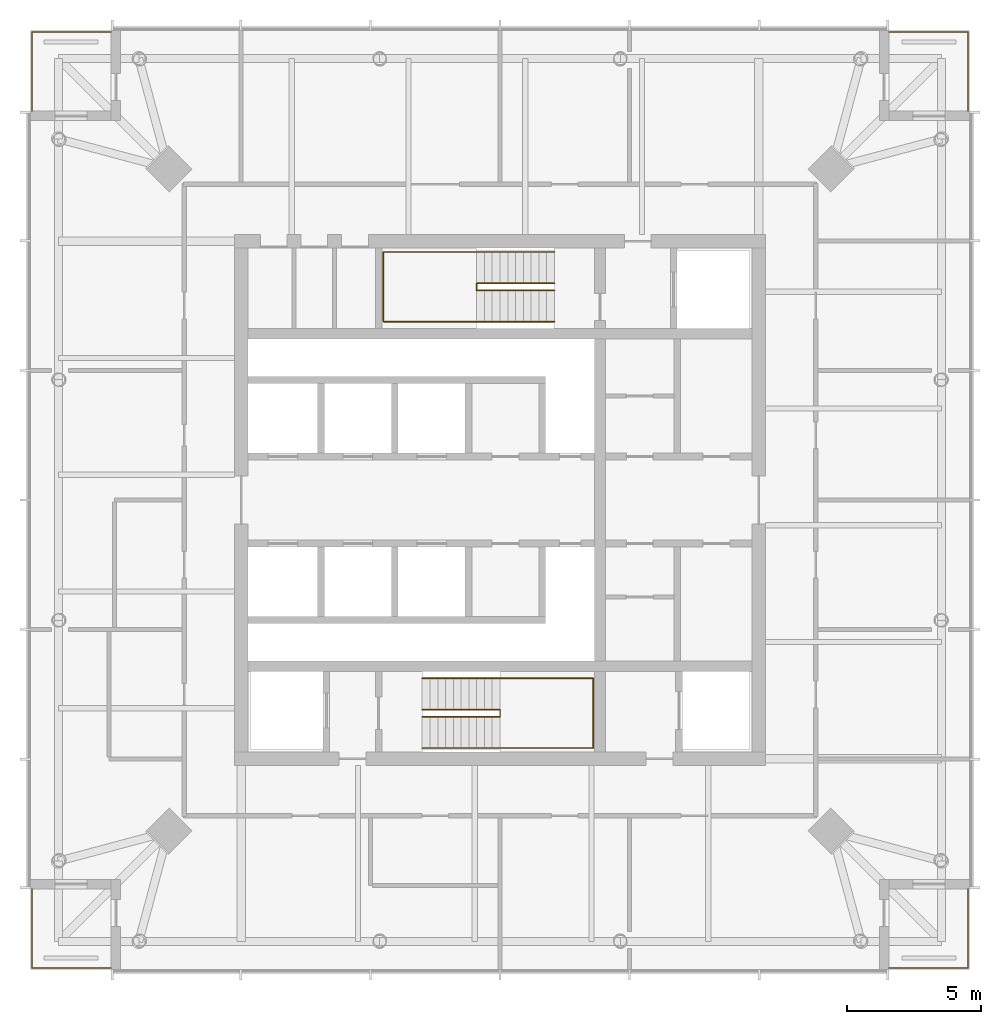
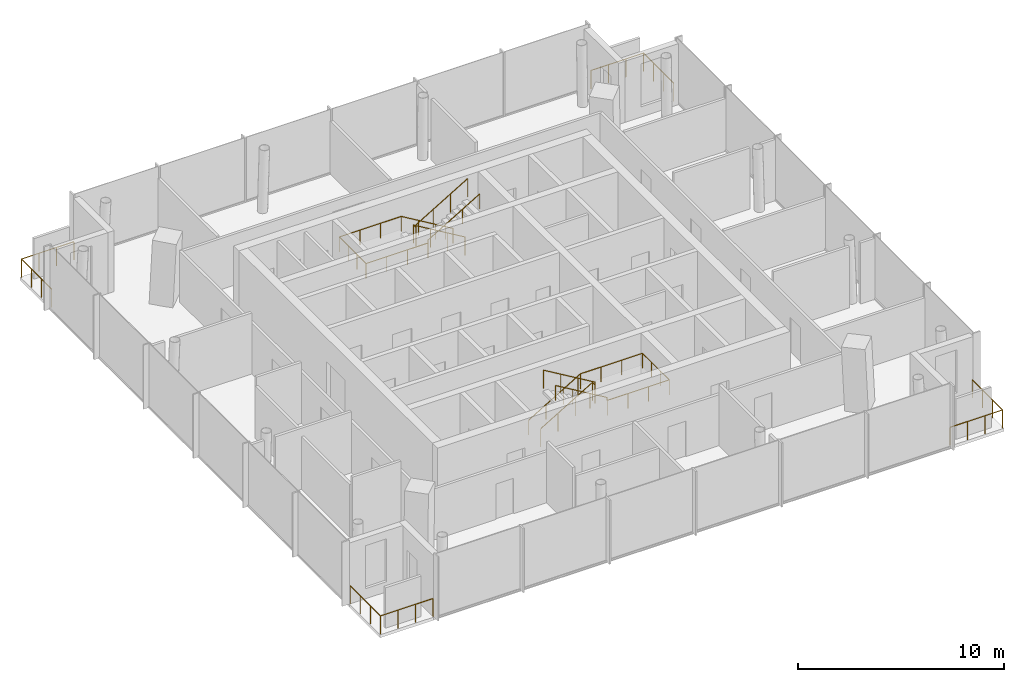
# One storey, part 7 of 7: 8 railings.
"""IFC4 building model written with IfcOpenShell, lengths in metres."""

from ifc_helpers import new_model, si_unit, direction, frame, origin, origin_2d, place, context, subcontext, project, spatial, circle, extrude, material, type_object, element, save


model = new_model("IFC4")

# Units and contexts
model_context = context("Model", 3, precision=1e-05, world=origin(), true_north=direction((0.0, 1.0)))
body_context = subcontext(model_context, "Body", "Model", "MODEL_VIEW")
ifc_project = project(units=[si_unit("LENGTHUNIT", "METRE"), si_unit("AREAUNIT", "SQUARE_METRE"), si_unit("VOLUMEUNIT", "CUBIC_METRE"), si_unit("PLANEANGLEUNIT", "RADIAN"), si_unit("MASSUNIT", "GRAM", prefix="KILO")], contexts=[model_context])

# Site, building, storey
site_placement = place(None, origin())
site = spatial("IfcSite", under=ifc_project, at=site_placement, CompositionType="ELEMENT")
building_placement = place(site_placement, origin())
building = spatial("IfcBuilding", under=site, at=building_placement, Name="Ostroluk Exchange", CompositionType="ELEMENT")
storey_placement = place(building_placement, frame((0.0, 0.0, 256.60009765625)))
storey = spatial("IfcBuildingStorey", under=building, at=storey_placement, Name="L66", CompositionType="ELEMENT", Elevation=256.60009765625)

# Railings
ifc_material_1 = material(Name="Stainless steel", Category="steel")
railing_type_1 = type_object("IfcRailingType", Name="Guard 1100 stainless steel", PredefinedType="GUARDRAIL", material=ifc_material_1)
railing_1_placement = place(storey_placement, frame((59.5, 28.550048828125, 0.0)))
element("IfcRailing", 1, at=railing_1_placement, inside=storey, type_object=railing_type_1, Name="Office tower SE balcony guard L66", PredefinedType="GUARDRAIL", context=body_context, shape_type="SweptSolid", body=[
    extrude(circle(Radius=0.02392578125, at=origin_2d()), frame((0.0, 0.0, 1.076171875), z_axis=(1.0, 0.0, 0.0), x_axis=(0.0, 1.0, 0.0)), (0.0, 0.0, 1.0), 2.949951171875),
    extrude(circle(Radius=0.02392578125, at=origin_2d()), frame((2.949951171875, 0.0, 1.076171875), z_axis=(0.0, 1.0, 0.0), x_axis=(-1.0, 0.0, 0.0)), (0.0, 0.0, 1.0), 2.949951171875),
    extrude(circle(Radius=0.02099609375, at=origin_2d()), origin(), (0.0, 0.0, 1.0), 1.052001953125),
    extrude(circle(Radius=0.02099609375, at=origin_2d()), frame((0.9833984375, 0.0, 0.0)), (0.0, 0.0, 1.0), 1.052001953125),
    extrude(circle(Radius=0.02099609375, at=origin_2d()), frame((1.966552734375, 0.0, 0.0)), (0.0, 0.0, 1.0), 1.052001953125),
    extrude(circle(Radius=0.02099609375, at=origin_2d()), frame((2.949951171875, 0.0, 0.0)), (0.0, 0.0, 1.0), 1.052001953125),
    extrude(circle(Radius=0.02099609375, at=origin_2d()), frame((2.949951171875, 0.9833984375, 0.0)), (0.0, 0.0, 1.0), 1.052001953125),
    extrude(circle(Radius=0.02099609375, at=origin_2d()), frame((2.949951171875, 1.966552734375, 0.0)), (0.0, 0.0, 1.0), 1.052001953125),
    extrude(circle(Radius=0.02099609375, at=origin_2d()), frame((2.949951171875, 2.949951171875, 0.0)), (0.0, 0.0, 1.0), 1.052001953125),
])
railing_2_placement = place(storey_placement, frame((59.5, 63.449951171875, 0.0)))
element("IfcRailing", 2, at=railing_2_placement, inside=storey, type_object=railing_type_1, Name="Office tower NE balcony guard L66", PredefinedType="GUARDRAIL", context=body_context, shape_type="SweptSolid", body=[
    extrude(circle(Radius=0.02392578125, at=origin_2d()), frame((0.0, 0.0, 1.076171875), z_axis=(1.0, 0.0, 0.0), x_axis=(0.0, 1.0, 0.0)), (0.0, 0.0, 1.0), 2.949951171875),
    extrude(circle(Radius=0.02392578125, at=origin_2d()), frame((2.949951171875, 0.0, 1.076171875), z_axis=(0.0, -1.0, 0.0), x_axis=(1.0, 0.0, 0.0)), (0.0, 0.0, 1.0), 2.949951171875),
    extrude(circle(Radius=0.02099609375, at=origin_2d()), origin(), (0.0, 0.0, 1.0), 1.052001953125),
    extrude(circle(Radius=0.02099609375, at=origin_2d()), frame((0.9833984375, 0.0, 0.0)), (0.0, 0.0, 1.0), 1.052001953125),
    extrude(circle(Radius=0.02099609375, at=origin_2d()), frame((1.966552734375, 0.0, 0.0)), (0.0, 0.0, 1.0), 1.052001953125),
    extrude(circle(Radius=0.02099609375, at=origin_2d()), frame((2.949951171875, 0.0, 0.0)), (0.0, 0.0, 1.0), 1.052001953125),
    extrude(circle(Radius=0.02099609375, at=origin_2d()), frame((2.949951171875, -0.9833984375, 0.0)), (0.0, 0.0, 1.0), 1.052001953125),
    extrude(circle(Radius=0.02099609375, at=origin_2d()), frame((2.949951171875, -1.966552734375, 0.0)), (0.0, 0.0, 1.0), 1.052001953125),
    extrude(circle(Radius=0.02099609375, at=origin_2d()), frame((2.949951171875, -2.949951171875, 0.0)), (0.0, 0.0, 1.0), 1.052001953125),
])
railing_3_placement = place(storey_placement, frame((30.5, 63.449951171875, 0.0)))
element("IfcRailing", 3, at=railing_3_placement, inside=storey, type_object=railing_type_1, Name="Office tower NW balcony guard L66", PredefinedType="GUARDRAIL", context=body_context, shape_type="SweptSolid", body=[
    extrude(circle(Radius=0.02392578125, at=origin_2d()), frame((0.0, 0.0, 1.076171875), z_axis=(-1.0, 0.0, 0.0), x_axis=(0.0, -1.0, 0.0)), (0.0, 0.0, 1.0), 2.949951171875),
    extrude(circle(Radius=0.02392578125, at=origin_2d()), frame((-2.949951171875, 0.0, 1.076171875), z_axis=(0.0, -1.0, 0.0), x_axis=(1.0, 0.0, 0.0)), (0.0, 0.0, 1.0), 2.949951171875),
    extrude(circle(Radius=0.02099609375, at=origin_2d()), origin(), (0.0, 0.0, 1.0), 1.052001953125),
    extrude(circle(Radius=0.02099609375, at=origin_2d()), frame((-0.9833984375, 0.0, 0.0)), (0.0, 0.0, 1.0), 1.052001953125),
    extrude(circle(Radius=0.02099609375, at=origin_2d()), frame((-1.966552734375, 0.0, 0.0)), (0.0, 0.0, 1.0), 1.052001953125),
    extrude(circle(Radius=0.02099609375, at=origin_2d()), frame((-2.949951171875, 0.0, 0.0)), (0.0, 0.0, 1.0), 1.052001953125),
    extrude(circle(Radius=0.02099609375, at=origin_2d()), frame((-2.949951171875, -0.9833984375, 0.0)), (0.0, 0.0, 1.0), 1.052001953125),
    extrude(circle(Radius=0.02099609375, at=origin_2d()), frame((-2.949951171875, -1.966552734375, 0.0)), (0.0, 0.0, 1.0), 1.052001953125),
    extrude(circle(Radius=0.02099609375, at=origin_2d()), frame((-2.949951171875, -2.949951171875, 0.0)), (0.0, 0.0, 1.0), 1.052001953125),
])
railing_4_placement = place(storey_placement, frame((30.5, 28.550048828125, 0.0)))
element("IfcRailing", 4, at=railing_4_placement, inside=storey, type_object=railing_type_1, Name="Office tower SW balcony guard L66", PredefinedType="GUARDRAIL", context=body_context, shape_type="SweptSolid", body=[
    extrude(circle(Radius=0.02392578125, at=origin_2d()), frame((0.0, 0.0, 1.076171875), z_axis=(-1.0, 0.0, 0.0), x_axis=(0.0, -1.0, 0.0)), (0.0, 0.0, 1.0), 2.949951171875),
    extrude(circle(Radius=0.02392578125, at=origin_2d()), frame((-2.949951171875, 0.0, 1.076171875), z_axis=(0.0, 1.0, 0.0), x_axis=(-1.0, 0.0, 0.0)), (0.0, 0.0, 1.0), 2.949951171875),
    extrude(circle(Radius=0.02099609375, at=origin_2d()), origin(), (0.0, 0.0, 1.0), 1.052001953125),
    extrude(circle(Radius=0.02099609375, at=origin_2d()), frame((-0.9833984375, 0.0, 0.0)), (0.0, 0.0, 1.0), 1.052001953125),
    extrude(circle(Radius=0.02099609375, at=origin_2d()), frame((-1.966552734375, 0.0, 0.0)), (0.0, 0.0, 1.0), 1.052001953125),
    extrude(circle(Radius=0.02099609375, at=origin_2d()), frame((-2.949951171875, 0.0, 0.0)), (0.0, 0.0, 1.0), 1.052001953125),
    extrude(circle(Radius=0.02099609375, at=origin_2d()), frame((-2.949951171875, 0.9833984375, 0.0)), (0.0, 0.0, 1.0), 1.052001953125),
    extrude(circle(Radius=0.02099609375, at=origin_2d()), frame((-2.949951171875, 1.966552734375, 0.0)), (0.0, 0.0, 1.0), 1.052001953125),
    extrude(circle(Radius=0.02099609375, at=origin_2d()), frame((-2.949951171875, 2.949951171875, 0.0)), (0.0, 0.0, 1.0), 1.052001953125),
])
ifc_material_2 = material(Name="Steel S355", Category="steel")
railing_type_2 = type_object("IfcRailingType", Name="Stair guard 1100", PredefinedType="GUARDRAIL", material=ifc_material_2)
railing_5_placement = place(storey_placement, frame((42.10009765625, 38.179931640625, 0.172607421875)))
element("IfcRailing", 5, at=railing_5_placement, inside=storey, type_object=railing_type_2, Name="Stair T1-S1 guard L66", PredefinedType="GUARDRAIL", context=body_context, shape_type="SweptSolid", body=[
    extrude(circle(Radius=0.02392578125, at=origin_2d()), frame((0.0, 0.0, 1.076171875), z_axis=(0.859141464434, 0.0, 0.511738159696), x_axis=(0.0, 1.0, 0.0)), (0.0, 0.0, 1.0), 3.375244140625),
    extrude(circle(Radius=0.02392578125, at=origin_2d()), frame((2.89990234375, 0.0, 2.80322265625), z_axis=(0.0, -1.0, 0.0), x_axis=(1.0, 0.0, 0.0)), (0.0, 0.0, 1.0), 0.260009765625),
    extrude(circle(Radius=0.02392578125, at=origin_2d()), frame((2.89990234375, -0.260009765625, 2.80322265625), z_axis=(0.0, 0.0, 1.0), x_axis=(1.0, 0.0, 0.0)), (0.0, 0.0, 1.0), 0.172607421875),
    extrude(circle(Radius=0.02392578125, at=origin_2d()), frame((2.89990234375, -0.260009765625, 2.97607421875), z_axis=(-0.859141464434, 0.0, 0.511738159696), x_axis=(0.0, -1.0, 0.0)), (0.0, 0.0, 1.0), 3.375244140625),
    extrude(circle(Radius=0.02099609375, at=origin_2d()), origin(), (0.0, 0.0, 1.0), 1.052001953125),
    extrude(circle(Radius=0.02099609375, at=origin_2d()), frame((0.966552734375, 0.0, 0.57568359375)), (0.0, 0.0, 1.0), 1.052001953125),
    extrude(circle(Radius=0.02099609375, at=origin_2d()), frame((1.933349609375, 0.0, 1.151611328125)), (0.0, 0.0, 1.0), 1.052001953125),
    extrude(circle(Radius=0.02099609375, at=origin_2d()), frame((2.89990234375, 0.0, 1.727294921875)), (0.0, 0.0, 1.0), 1.052001953125),
    extrude(circle(Radius=0.02099609375, at=origin_2d()), frame((2.89990234375, -0.260009765625, 1.727294921875)), (0.0, 0.0, 1.0), 1.052001953125),
    extrude(circle(Radius=0.02099609375, at=origin_2d()), frame((2.89990234375, -0.260009765625, 1.89990234375)), (0.0, 0.0, 1.0), 1.052001953125),
    extrude(circle(Radius=0.02099609375, at=origin_2d()), frame((1.933349609375, -0.260009765625, 2.4755859375)), (0.0, 0.0, 1.0), 1.052001953125),
    extrude(circle(Radius=0.02099609375, at=origin_2d()), frame((0.966552734375, -0.260009765625, 3.051513671875)), (0.0, 0.0, 1.0), 1.052001953125),
    extrude(circle(Radius=0.02099609375, at=origin_2d()), frame((0.0, -0.260009765625, 3.627197265625)), (0.0, 0.0, 1.0), 1.052001953125),
])
railing_6_placement = place(storey_placement, frame((47.030029296875, 54.080078125, 0.172607421875)))
element("IfcRailing", 6, at=railing_6_placement, inside=storey, type_object=railing_type_2, Name="Stair T1-S2 guard L66", PredefinedType="GUARDRAIL", context=body_context, shape_type="SweptSolid", body=[
    extrude(circle(Radius=0.02392578125, at=origin_2d()), frame((0.0, 0.0, 1.076171875), z_axis=(-0.859160404282, 0.0, 0.51170636083), x_axis=(0.0, -1.0, 0.0)), (0.0, 0.0, 1.0), 3.37548828125),
    extrude(circle(Radius=0.02392578125, at=origin_2d()), frame((-2.900146484375, 0.0, 2.80322265625), z_axis=(0.0, -1.0, 0.0), x_axis=(1.0, 0.0, 0.0)), (0.0, 0.0, 1.0), 0.260009765625),
    extrude(circle(Radius=0.02392578125, at=origin_2d()), frame((-2.900146484375, -0.260009765625, 2.80322265625), z_axis=(0.0, 0.0, 1.0), x_axis=(1.0, 0.0, 0.0)), (0.0, 0.0, 1.0), 0.172607421875),
    extrude(circle(Radius=0.02392578125, at=origin_2d()), frame((-2.900146484375, -0.260009765625, 2.97607421875), z_axis=(0.859160404282, 0.0, 0.51170636083), x_axis=(0.0, 1.0, 0.0)), (0.0, 0.0, 1.0), 3.37548828125),
    extrude(circle(Radius=0.02099609375, at=origin_2d()), origin(), (0.0, 0.0, 1.0), 1.052001953125),
    extrude(circle(Radius=0.02099609375, at=origin_2d()), frame((-0.966796875, 0.0, 0.57568359375)), (0.0, 0.0, 1.0), 1.052001953125),
    extrude(circle(Radius=0.02099609375, at=origin_2d()), frame((-1.933349609375, 0.0, 1.151611328125)), (0.0, 0.0, 1.0), 1.052001953125),
    extrude(circle(Radius=0.02099609375, at=origin_2d()), frame((-2.900146484375, 0.0, 1.727294921875)), (0.0, 0.0, 1.0), 1.052001953125),
    extrude(circle(Radius=0.02099609375, at=origin_2d()), frame((-2.900146484375, -0.260009765625, 1.727294921875)), (0.0, 0.0, 1.0), 1.052001953125),
    extrude(circle(Radius=0.02099609375, at=origin_2d()), frame((-2.900146484375, -0.260009765625, 1.89990234375)), (0.0, 0.0, 1.0), 1.052001953125),
    extrude(circle(Radius=0.02099609375, at=origin_2d()), frame((-1.933349609375, -0.260009765625, 2.4755859375)), (0.0, 0.0, 1.0), 1.052001953125),
    extrude(circle(Radius=0.02099609375, at=origin_2d()), frame((-0.966796875, -0.260009765625, 3.051513671875)), (0.0, 0.0, 1.0), 1.052001953125),
    extrude(circle(Radius=0.02099609375, at=origin_2d()), frame((0.0, -0.260009765625, 3.627197265625)), (0.0, 0.0, 1.0), 1.052001953125),
])
ifc_material_3 = material(Name="Stainless steel", Category="steel")
railing_type_3 = type_object("IfcRailingType", Name="Stair handrail 900", PredefinedType="HANDRAIL", material=ifc_material_3)
railing_7_placement = place(storey_placement, frame((42.10009765625, 39.35009765625, 0.172607421875)))
element("IfcRailing", 7, at=railing_7_placement, inside=storey, type_object=railing_type_3, Name="Stair T1-S1 handrail L66", PredefinedType="HANDRAIL", context=body_context, shape_type="SweptSolid", body=[
    extrude(circle(Radius=0.02392578125, at=origin_2d()), frame((0.0, 0.0, 0.8759765625), z_axis=(0.859141464434, 0.0, 0.511738159696), x_axis=(0.0, 1.0, 0.0)), (0.0, 0.0, 1.0), 3.375244140625),
    extrude(circle(Radius=0.02392578125, at=origin_2d()), frame((2.89990234375, 0.0, 2.60302734375), z_axis=(1.0, 0.0, 0.0), x_axis=(0.0, 1.0, 0.0)), (0.0, 0.0, 1.0), 3.47998046875),
    extrude(circle(Radius=0.02392578125, at=origin_2d()), frame((6.3798828125, 0.0, 2.60302734375), z_axis=(0.0, -1.0, 0.0), x_axis=(1.0, 0.0, 0.0)), (0.0, 0.0, 1.0), 2.60009765625),
    extrude(circle(Radius=0.02392578125, at=origin_2d()), frame((6.3798828125, -2.60009765625, 2.60302734375), z_axis=(-1.0, 0.0, 0.0), x_axis=(0.0, -1.0, 0.0)), (0.0, 0.0, 1.0), 3.47998046875),
    extrude(circle(Radius=0.02392578125, at=origin_2d()), frame((2.89990234375, -2.60009765625, 2.60302734375), z_axis=(0.0, 0.0, 1.0), x_axis=(1.0, 0.0, 0.0)), (0.0, 0.0, 1.0), 0.172607421875),
    extrude(circle(Radius=0.02392578125, at=origin_2d()), frame((2.89990234375, -2.60009765625, 2.77587890625), z_axis=(-0.859141464434, 0.0, 0.511738159696), x_axis=(0.0, -1.0, 0.0)), (0.0, 0.0, 1.0), 3.375244140625),
    extrude(circle(Radius=0.02099609375, at=origin_2d()), origin(), (0.0, 0.0, 1.0), 0.851806640625),
    extrude(circle(Radius=0.02099609375, at=origin_2d()), frame((0.966552734375, 0.0, 0.57568359375)), (0.0, 0.0, 1.0), 0.851806640625),
    extrude(circle(Radius=0.02099609375, at=origin_2d()), frame((1.933349609375, 0.0, 1.151611328125)), (0.0, 0.0, 1.0), 0.851806640625),
    extrude(circle(Radius=0.02099609375, at=origin_2d()), frame((2.89990234375, 0.0, 1.727294921875)), (0.0, 0.0, 1.0), 0.851806640625),
    extrude(circle(Radius=0.02099609375, at=origin_2d()), frame((4.059814453125, 0.0, 1.727294921875)), (0.0, 0.0, 1.0), 0.851806640625),
    extrude(circle(Radius=0.02099609375, at=origin_2d()), frame((5.219970703125, 0.0, 1.727294921875)), (0.0, 0.0, 1.0), 0.851806640625),
    extrude(circle(Radius=0.02099609375, at=origin_2d()), frame((6.3798828125, 0.0, 1.727294921875)), (0.0, 0.0, 1.0), 0.851806640625),
    extrude(circle(Radius=0.02099609375, at=origin_2d()), frame((6.3798828125, -0.86669921875, 1.727294921875)), (0.0, 0.0, 1.0), 0.851806640625),
    extrude(circle(Radius=0.02099609375, at=origin_2d()), frame((6.3798828125, -1.7333984375, 1.727294921875)), (0.0, 0.0, 1.0), 0.851806640625),
    extrude(circle(Radius=0.02099609375, at=origin_2d()), frame((6.3798828125, -2.60009765625, 1.727294921875)), (0.0, 0.0, 1.0), 0.851806640625),
    extrude(circle(Radius=0.02099609375, at=origin_2d()), frame((5.219970703125, -2.60009765625, 1.727294921875)), (0.0, 0.0, 1.0), 0.851806640625),
    extrude(circle(Radius=0.02099609375, at=origin_2d()), frame((4.059814453125, -2.60009765625, 1.727294921875)), (0.0, 0.0, 1.0), 0.851806640625),
    extrude(circle(Radius=0.02099609375, at=origin_2d()), frame((2.89990234375, -2.60009765625, 1.727294921875)), (0.0, 0.0, 1.0), 0.851806640625),
    extrude(circle(Radius=0.02099609375, at=origin_2d()), frame((2.89990234375, -2.60009765625, 1.89990234375)), (0.0, 0.0, 1.0), 0.851806640625),
    extrude(circle(Radius=0.02099609375, at=origin_2d()), frame((1.933349609375, -2.60009765625, 2.4755859375)), (0.0, 0.0, 1.0), 0.851806640625),
    extrude(circle(Radius=0.02099609375, at=origin_2d()), frame((0.966552734375, -2.60009765625, 3.051513671875)), (0.0, 0.0, 1.0), 0.851806640625),
    extrude(circle(Radius=0.02099609375, at=origin_2d()), frame((0.0, -2.60009765625, 3.627197265625)), (0.0, 0.0, 1.0), 0.851806640625),
])
railing_8_placement = place(storey_placement, frame((47.030029296875, 55.25, 0.172607421875)))
element("IfcRailing", 8, at=railing_8_placement, inside=storey, type_object=railing_type_3, Name="Stair T1-S2 handrail L66", PredefinedType="HANDRAIL", context=body_context, shape_type="SweptSolid", body=[
    extrude(circle(Radius=0.02392578125, at=origin_2d()), frame((0.0, 0.0, 0.8759765625), z_axis=(-0.859160404282, 0.0, 0.51170636083), x_axis=(0.0, -1.0, 0.0)), (0.0, 0.0, 1.0), 3.37548828125),
    extrude(circle(Radius=0.02392578125, at=origin_2d()), frame((-2.900146484375, 0.0, 2.60302734375), z_axis=(-1.0, 0.0, 0.0), x_axis=(0.0, -1.0, 0.0)), (0.0, 0.0, 1.0), 3.47998046875),
    extrude(circle(Radius=0.02392578125, at=origin_2d()), frame((-6.380126953125, 0.0, 2.60302734375), z_axis=(0.0, -1.0, 0.0), x_axis=(1.0, 0.0, 0.0)), (0.0, 0.0, 1.0), 2.60009765625),
    extrude(circle(Radius=0.02392578125, at=origin_2d()), frame((-6.380126953125, -2.60009765625, 2.60302734375), z_axis=(1.0, 0.0, 0.0), x_axis=(0.0, 1.0, 0.0)), (0.0, 0.0, 1.0), 3.47998046875),
    extrude(circle(Radius=0.02392578125, at=origin_2d()), frame((-2.900146484375, -2.60009765625, 2.60302734375), z_axis=(0.0, 0.0, 1.0), x_axis=(1.0, 0.0, 0.0)), (0.0, 0.0, 1.0), 0.172607421875),
    extrude(circle(Radius=0.02392578125, at=origin_2d()), frame((-2.900146484375, -2.60009765625, 2.77587890625), z_axis=(0.859160404282, 0.0, 0.51170636083), x_axis=(0.0, 1.0, 0.0)), (0.0, 0.0, 1.0), 3.37548828125),
    extrude(circle(Radius=0.02099609375, at=origin_2d()), origin(), (0.0, 0.0, 1.0), 0.851806640625),
    extrude(circle(Radius=0.02099609375, at=origin_2d()), frame((-0.966796875, 0.0, 0.57568359375)), (0.0, 0.0, 1.0), 0.851806640625),
    extrude(circle(Radius=0.02099609375, at=origin_2d()), frame((-1.933349609375, 0.0, 1.151611328125)), (0.0, 0.0, 1.0), 0.851806640625),
    extrude(circle(Radius=0.02099609375, at=origin_2d()), frame((-2.900146484375, 0.0, 1.727294921875)), (0.0, 0.0, 1.0), 0.851806640625),
    extrude(circle(Radius=0.02099609375, at=origin_2d()), frame((-4.06005859375, 0.0, 1.727294921875)), (0.0, 0.0, 1.0), 0.851806640625),
    extrude(circle(Radius=0.02099609375, at=origin_2d()), frame((-5.22021484375, 0.0, 1.727294921875)), (0.0, 0.0, 1.0), 0.851806640625),
    extrude(circle(Radius=0.02099609375, at=origin_2d()), frame((-6.380126953125, 0.0, 1.727294921875)), (0.0, 0.0, 1.0), 0.851806640625),
    extrude(circle(Radius=0.02099609375, at=origin_2d()), frame((-6.380126953125, -0.86669921875, 1.727294921875)), (0.0, 0.0, 1.0), 0.851806640625),
    extrude(circle(Radius=0.02099609375, at=origin_2d()), frame((-6.380126953125, -1.7333984375, 1.727294921875)), (0.0, 0.0, 1.0), 0.851806640625),
    extrude(circle(Radius=0.02099609375, at=origin_2d()), frame((-6.380126953125, -2.60009765625, 1.727294921875)), (0.0, 0.0, 1.0), 0.851806640625),
    extrude(circle(Radius=0.02099609375, at=origin_2d()), frame((-5.22021484375, -2.60009765625, 1.727294921875)), (0.0, 0.0, 1.0), 0.851806640625),
    extrude(circle(Radius=0.02099609375, at=origin_2d()), frame((-4.06005859375, -2.60009765625, 1.727294921875)), (0.0, 0.0, 1.0), 0.851806640625),
    extrude(circle(Radius=0.02099609375, at=origin_2d()), frame((-2.900146484375, -2.60009765625, 1.727294921875)), (0.0, 0.0, 1.0), 0.851806640625),
    extrude(circle(Radius=0.02099609375, at=origin_2d()), frame((-2.900146484375, -2.60009765625, 1.89990234375)), (0.0, 0.0, 1.0), 0.851806640625),
    extrude(circle(Radius=0.02099609375, at=origin_2d()), frame((-1.933349609375, -2.60009765625, 2.4755859375)), (0.0, 0.0, 1.0), 0.851806640625),
    extrude(circle(Radius=0.02099609375, at=origin_2d()), frame((-0.966796875, -2.60009765625, 3.051513671875)), (0.0, 0.0, 1.0), 0.851806640625),
    extrude(circle(Radius=0.02099609375, at=origin_2d()), frame((0.0, -2.60009765625, 3.627197265625)), (0.0, 0.0, 1.0), 0.851806640625),
])

save(model, "model.ifc")
